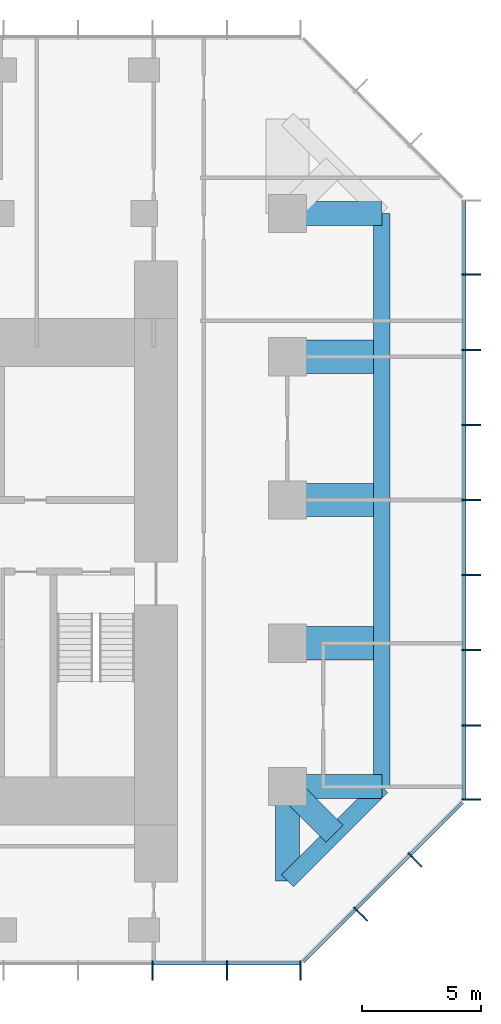
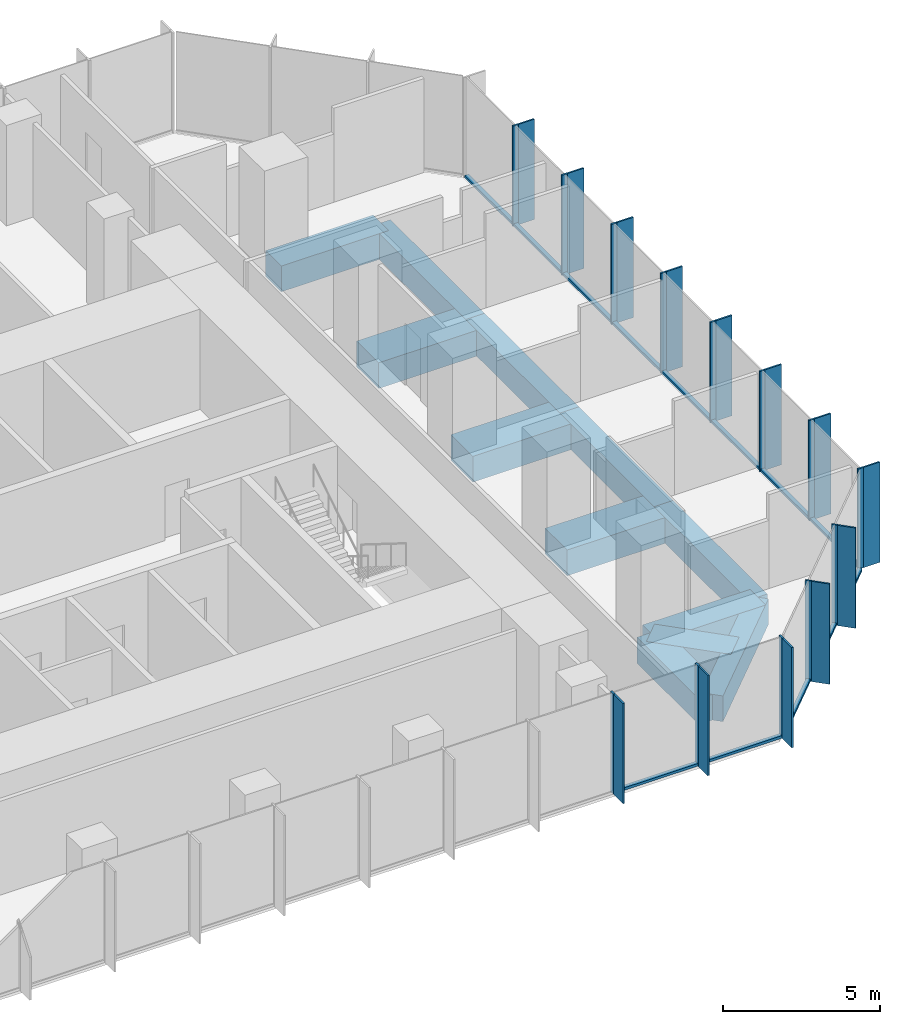
# One storey, part 4 of 10: 39 members, 12 beams, 3 elements without a shape of their own.
"""IFC4 building model written with IfcOpenShell, lengths in metres."""

import ifcopenshell
import ifcopenshell.guid

model = None  # the IFC model being written
_history = None  # IfcOwnerHistory: only IFC2X3 demands one
_inside = {}  # id of a spatial element -> (the spatial element, [elements in it])
_under = {}  # id of a project, library or spatial element -> (it, [spatial elements below it])
_declared = {}  # id of a project -> (the project, [libraries it declares])
_typed = {}  # id of a type object -> (the type object, [elements of that type])
_made_of = {}  # id of a material, layer set ... -> (it, [elements and type objects made of it])


def new_model(schema):
    """Start an empty IFC model of exactly this schema.

    Asked for "IFC4X3", IfcOpenShell would pick the latest addendum, in which some entities
    have other attributes; the version numbers below select the first issue.
    IFC2X3 requires an IfcOwnerHistory on every rooted entity: one is made here for all.
    """
    global model, _history
    if schema == "IFC4X3":
        model = ifcopenshell.file(schema_version=(4, 3, 0, 0))
    else:
        model = ifcopenshell.file(schema=schema)
    _inside.clear()
    _under.clear()
    _declared.clear()
    _typed.clear()
    _made_of.clear()
    _history = None
    if model.schema == "IFC2X3":
        org = make("IfcOrganization", Name="unknown")
        user = make(
            "IfcPersonAndOrganization",
            ThePerson=make("IfcPerson", FamilyName="unknown"),
            TheOrganization=org,
        )
        app = make(
            "IfcApplication",
            ApplicationDeveloper=org,
            Version="unknown",
            ApplicationFullName="unknown",
            ApplicationIdentifier="unknown",
        )
        _history = make(
            "IfcOwnerHistory",
            OwningUser=user,
            OwningApplication=app,
            ChangeAction="ADDED",
            CreationDate=0,
        )
    return model


def make(cls, **values):
    """One entity of the class cls with the attributes given. An attribute that is None is left unset."""
    return model.create_entity(
        cls, **{name: value for name, value in values.items() if value is not None}
    )


def rooted(cls, **values):
    """An entity with a GlobalId (a new one), such as an element, a storey or a relation."""
    return make(cls, GlobalId=ifcopenshell.guid.new(), OwnerHistory=_history, **values)


def si_unit(unit_type, name, prefix=None):
    """IfcSIUnit, for example si_unit("LENGTHUNIT", "METRE", prefix="MILLI")."""
    return make("IfcSIUnit", UnitType=unit_type, Prefix=prefix, Name=name)


def assignment(units):
    """IfcUnitAssignment: the units of a project."""
    return None if units is None else make("IfcUnitAssignment", Units=units)


def point(xyz):
    """IfcCartesianPoint."""
    return None if xyz is None else make("IfcCartesianPoint", Coordinates=xyz)


def direction(xyz):
    """IfcDirection."""
    return None if xyz is None else make("IfcDirection", DirectionRatios=xyz)


def frame(location, z_axis=None, x_axis=None):
    """IfcAxis2Placement3D, a coordinate frame: its origin and axes. An axis left out is left unset."""
    return make(
        "IfcAxis2Placement3D",
        Location=point(location),
        Axis=direction(z_axis),
        RefDirection=direction(x_axis),
    )


def frame_2d(location, x_axis=None):
    """IfcAxis2Placement2D, a coordinate frame in the plane: its origin and x axis."""
    return make(
        "IfcAxis2Placement2D", Location=point(location), RefDirection=direction(x_axis)
    )


def origin():
    """The frame at (0, 0, 0) with its axes left unset."""
    return frame((0.0, 0.0, 0.0))


def origin_2d():
    """The frame at (0, 0) in the plane with its x axis left unset."""
    return frame_2d((0.0, 0.0))


def place(relative_to, where):
    """IfcLocalPlacement: puts the frame where relative to a parent placement (None: the world)."""
    return make(
        "IfcLocalPlacement", PlacementRelTo=relative_to, RelativePlacement=where
    )


def context(
    kind, dimensions, precision=None, world=None, true_north=None, identifier=None
):
    """IfcGeometricRepresentationContext, for example the 3D "Model" context."""
    return make(
        "IfcGeometricRepresentationContext",
        ContextIdentifier=identifier,
        ContextType=kind,
        CoordinateSpaceDimension=dimensions,
        Precision=precision,
        WorldCoordinateSystem=world,
        TrueNorth=true_north,
    )


def subcontext(parent, identifier, kind, view, scale=None):
    """IfcGeometricRepresentationSubContext, for example "Body" below "Model"."""
    return make(
        "IfcGeometricRepresentationSubContext",
        ContextIdentifier=identifier,
        ContextType=kind,
        ParentContext=parent,
        TargetScale=scale,
        TargetView=view,
    )


def project(units=None, contexts=None):
    """IfcProject with its units and contexts."""
    return rooted(
        "IfcProject",
        Name="project",
        RepresentationContexts=contexts,
        UnitsInContext=assignment(units),
    )


def spatial(cls, under=None, at=None, **own):
    """A site, building, storey or space (cls), placed at a placement, below another one or the project."""
    s = rooted(cls, ObjectPlacement=at, **own)
    if under is not None:
        _under.setdefault(under.id(), (under, []))[1].append(s)
    return s


def profile(cls, at=None, kind="AREA", **sizes):
    """A parametric profile (cls). Its sizes go by their IFC names, for example OverallWidth=200.0."""
    return make(cls, ProfileType=kind, Position=at, **sizes)


def rectangle(**sizes):
    """IfcRectangleProfileDef."""
    return profile("IfcRectangleProfileDef", **sizes)


def extrude(swept, where, along, depth):
    """IfcExtrudedAreaSolid: the profile swept, set in the frame where, extruded along a direction by depth."""
    return make(
        "IfcExtrudedAreaSolid",
        SweptArea=swept,
        Position=where,
        ExtrudedDirection=direction(along),
        Depth=depth,
    )


def shape(context_of_items, identifier, shape_type, items):
    """IfcShapeRepresentation: the items that make up one representation, for example the "Body"."""
    return make(
        "IfcShapeRepresentation",
        ContextOfItems=context_of_items,
        RepresentationIdentifier=identifier,
        RepresentationType=shape_type,
        Items=items,
    )


def material(Name=None, Category=None):
    """IfcMaterial."""
    return make("IfcMaterial", Name=Name, Category=Category)


def layer(
    of_material, thickness, ventilated=None, Name=None, Category=None, Priority=None
):
    """IfcMaterialLayer: one layer of a wall or slab, of a material (None: an air gap)."""
    return make(
        "IfcMaterialLayer",
        Material=of_material,
        LayerThickness=thickness,
        IsVentilated=ventilated,
        Name=Name,
        Category=Category,
        Priority=Priority,
    )


def layer_set(layers, Name=None):
    """IfcMaterialLayerSet."""
    return make("IfcMaterialLayerSet", MaterialLayers=layers, LayerSetName=Name)


def material_profile(
    of_material, cross_section, Name=None, Category=None, Priority=None
):
    """IfcMaterialProfile: a cross section and its material."""
    return make(
        "IfcMaterialProfile",
        Name=Name,
        Material=of_material,
        Profile=cross_section,
        Priority=Priority,
        Category=Category,
    )


def profile_set(profiles, Name=None, composite=None):
    """IfcMaterialProfileSet."""
    return make(
        "IfcMaterialProfileSet",
        Name=Name,
        MaterialProfiles=profiles,
        CompositeProfile=composite,
    )


def made_of(thing, what):
    """Note that an element or type object is made of a material, layer set ...; save() writes the relation."""
    if what is not None:
        _made_of.setdefault(what.id(), (what, []))[1].append(thing)
    return thing


def type_object(cls, material=None, **own):
    """A type object (cls), such as IfcWallType, which elements share."""
    return made_of(rooted(cls, **own), material)


def element(
    cls,
    number,
    at=None,
    inside=None,
    cuts=None,
    type_object=None,
    material=None,
    context=None,
    identifier="Body",
    shape_type=None,
    held_by="IfcProductDefinitionShape",
    body=None,
    shapes=None,
    **own,
):
    """One element of the class cls, such as IfcWall. Its Tag is "e" and its number.

    at: its placement. inside: the storey or other place that contains it. cuts: it is an
    opening in that element (IfcRelVoidsElement). A single representation is given by context,
    identifier, shape_type and body (its items); several are given by shapes. held_by: the class
    of the entity that holds the representations. save() writes the other relations.
    """
    e = rooted(cls, Tag="e%d" % number, ObjectPlacement=at, **own)
    if body is not None:
        shapes = [shape(context, identifier, shape_type, body)]
    if shapes is not None:
        e.Representation = make(held_by, Representations=shapes)
    if inside is not None:
        _inside.setdefault(inside.id(), (inside, []))[1].append(e)
    if cuts is not None:
        rooted(
            "IfcRelVoidsElement", RelatingBuildingElement=cuts, RelatedOpeningElement=e
        )
    if type_object is not None:
        _typed.setdefault(type_object.id(), (type_object, []))[1].append(e)
    return made_of(e, material)


def aggregate(whole, parts):
    """IfcRelAggregates: a whole, such as a stair, and the parts it consists of."""
    return rooted("IfcRelAggregates", RelatingObject=whole, RelatedObjects=parts)


def save(model, path):
    """Write the relations noted so far, then the file.

    IfcRelAggregates (storeys below a building ...), IfcRelContainedInSpatialStructure (elements
    in a storey), IfcRelDefinesByType, IfcRelAssociatesMaterial and IfcRelDeclares: one each for
    every whole, place, type object, material and project.
    """
    for whole, parts in _under.values():
        aggregate(whole, parts)
    for where, things in _inside.values():
        rooted(
            "IfcRelContainedInSpatialStructure",
            RelatedElements=things,
            RelatingStructure=where,
        )
    for kind, things in _typed.values():
        rooted("IfcRelDefinesByType", RelatedObjects=things, RelatingType=kind)
    for what, things in _made_of.values():
        rooted("IfcRelAssociatesMaterial", RelatedObjects=things, RelatingMaterial=what)
    for by, libraries in _declared.values():
        rooted("IfcRelDeclares", RelatingContext=by, RelatedDefinitions=libraries)
    model.write(path)


model = new_model("IFC4")

# Units and contexts
model_context = context("Model", 3, precision=1e-05, world=origin(), true_north=direction((0.0, 1.0)))
body_context = subcontext(model_context, "Body", "Model", "MODEL_VIEW")
ifc_project = project(units=[si_unit("LENGTHUNIT", "METRE"), si_unit("AREAUNIT", "SQUARE_METRE"), si_unit("VOLUMEUNIT", "CUBIC_METRE"), si_unit("PLANEANGLEUNIT", "RADIAN"), si_unit("MASSUNIT", "GRAM", prefix="KILO")], contexts=[model_context])

# Site, building, storey
site_placement = place(None, origin())
site = spatial("IfcSite", under=ifc_project, at=site_placement, CompositionType="ELEMENT")
building_placement = place(site_placement, origin())
building = spatial("IfcBuilding", under=site, at=building_placement, Name="Highveld Stack Headquarters", CompositionType="ELEMENT")
storey_placement = place(building_placement, frame((0.0, 0.0, 252.800048828125)))
storey = spatial("IfcBuildingStorey", under=building, at=storey_placement, Name="L62", CompositionType="ELEMENT", Elevation=252.800048828125)

# Beams
ifc_material_1 = material(Name="Concrete C60/75", Category="concrete")
ifc_material_profile_1 = material_profile(ifc_material_1, rectangle(XDim=1.0, YDim=1.0, at=origin_2d()), Name="RC 1000x1000")
ifc_profile_set_1 = profile_set([ifc_material_profile_1], Name="Concrete C60/75")
beam_type_1 = type_object("IfcBeamType", Name="CANTILEVER RIB RC 1000x1000", PredefinedType="USERDEFINED", material=ifc_profile_set_1)
for number, where, z_axis, x_axis, name in (
    (1, (24.0, -6.0, -0.75), (1.0, 0.0, 0.0), (0.0, 1.0, 0.0), "Cantilever rib 10/D L62"),
    (2, (24.0, -6.0, -0.75), (0.0, -1.0, 0.0), (1.0, 0.0, 0.0), "Cantilever rib 10/D L62"),
):
    element("IfcBeam", number, at=place(storey_placement, frame(where, z_axis=z_axis, x_axis=x_axis)), inside=storey, type_object=beam_type_1, Name=name, ObjectType="CANTILEVER RIB", PredefinedType="USERDEFINED", context=body_context, shape_type="SweptSolid", body=[
        extrude(rectangle(XDim=1.0, YDim=1.0, at=origin_2d()), origin(), (0.0, 0.0, 1.0), 3.949951171875),
    ])
beam_1_placement = place(storey_placement, frame((24.0, -6.0, -0.75), z_axis=(0.707106781187, -0.707106781187, 0.0), x_axis=(0.707106781187, 0.707106781187, 0.0)))
element("IfcBeam", 3, at=beam_1_placement, inside=storey, type_object=beam_type_1, Name="Cantilever rib 10/D L62", ObjectType="CANTILEVER RIB", PredefinedType="USERDEFINED", context=body_context, shape_type="SweptSolid", body=[
    extrude(rectangle(XDim=1.0, YDim=1.0, at=origin_2d()), origin(), (0.0, 0.0, 1.0), 2.793212890625),
])
beam_2_placement = place(storey_placement, frame((24.0, 18.0, -0.75), z_axis=(1.0, 0.0, 0.0), x_axis=(0.0, 1.0, 0.0)))
element("IfcBeam", 4, at=beam_2_placement, inside=storey, type_object=beam_type_1, Name="Cantilever rib 10/H L62", ObjectType="CANTILEVER RIB", PredefinedType="USERDEFINED", context=body_context, shape_type="SweptSolid", body=[
    extrude(rectangle(XDim=1.0, YDim=1.0, at=origin_2d()), origin(), (0.0, 0.0, 1.0), 3.949951171875),
])
ifc_material_2 = material(Name="Concrete C60/75", Category="concrete")
ifc_material_profile_2 = material_profile(ifc_material_2, rectangle(XDim=1.39990234375, YDim=1.0, at=origin_2d()), Name="RC 1400x1000")
ifc_profile_set_2 = profile_set([ifc_material_profile_2], Name="Concrete C60/75")
beam_type_2 = type_object("IfcBeamType", Name="CANTILEVER RIB RC 1400x1000", PredefinedType="USERDEFINED", material=ifc_profile_set_2)
for number, where, z_axis, x_axis, name in (
    (5, (24.0, 0.0, -0.75), (1.0, 0.0, 0.0), (0.0, 1.0, 0.0), "Cantilever rib 10/E L62"),
    (6, (24.0, 6.0, -0.75), (1.0, 0.0, 0.0), (0.0, 1.0, 0.0), "Cantilever rib 10/F L62"),
    (7, (24.0, 12.0, -0.75), (1.0, 0.0, 0.0), (0.0, 1.0, 0.0), "Cantilever rib 10/G L62"),
):
    element("IfcBeam", number, at=place(storey_placement, frame(where, z_axis=z_axis, x_axis=x_axis)), inside=storey, type_object=beam_type_2, Name=name, ObjectType="CANTILEVER RIB", PredefinedType="USERDEFINED", context=body_context, shape_type="SweptSolid", body=[
        extrude(rectangle(XDim=1.39990234375, YDim=1.0, at=origin_2d()), origin(), (0.0, 0.0, 1.0), 3.949951171875),
    ])

# Curtain wall, members
ifc_material_3 = material(Name="Aluminium bronze anodised", Category="aluminium")
ifc_layer = layer(ifc_material_3, 0.199951171875)
ifc_layer_set = layer_set([ifc_layer], Name="Aluminium bronze anodised")
curtain_wall_type = type_object("IfcCurtainWallType", Name="CW5 EXECUTIVE UNITISED CURTAIN WALL", PredefinedType="NOTDEFINED", material=ifc_layer_set)
curtain_wall_1_placement = place(storey_placement, origin())
curtain_wall_1 = element("IfcCurtainWall", 8, at=curtain_wall_1_placement, inside=storey, type_object=curtain_wall_type, Name="Curtain wall CW5 L62 S", PredefinedType="NOTDEFINED")
ifc_material_4 = material(Name="Aluminium bronze anodised", Category="aluminium")
ifc_material_profile_3 = material_profile(ifc_material_4, rectangle(XDim=0.60009765625, YDim=0.06005859375, at=origin_2d()), Name="FIN 600x60")
ifc_profile_set_3 = profile_set([ifc_material_profile_3], Name="Aluminium bronze anodised")
member_type_1 = type_object("IfcMemberType", Name="CW5 BRONZE FIN 600x60", PredefinedType="USERDEFINED", material=ifc_profile_set_3)
member_1_placement = place(storey_placement, frame((18.347900390625, -13.800048828125, 0.0), z_axis=(0.0, 0.0, 1.0), x_axis=(0.0, 1.0, 0.0)))
member_1 = element("IfcMember", 9, at=member_1_placement, type_object=member_type_1, Name="CW5 fin L62 9", ObjectType="FIN", PredefinedType="USERDEFINED", context=body_context, shape_type="SweptSolid", body=[
    extrude(rectangle(XDim=0.60009765625, YDim=0.06005859375, at=origin_2d()), origin(), (0.0, 0.0, 1.0), 3.89990234375),
])
member_2_placement = place(storey_placement, frame((21.4638671875, -13.800048828125, 0.0), z_axis=(0.0, 0.0, 1.0), x_axis=(0.0, 1.0, 0.0)))
member_2 = element("IfcMember", 10, at=member_2_placement, type_object=member_type_1, Name="CW5 fin L62 10", ObjectType="FIN", PredefinedType="USERDEFINED", context=body_context, shape_type="SweptSolid", body=[
    extrude(rectangle(XDim=0.60009765625, YDim=0.06005859375, at=origin_2d()), origin(), (0.0, 0.0, 1.0), 3.89990234375),
])
member_3_placement = place(storey_placement, frame((24.54736328125, -13.800048828125, 0.0), z_axis=(0.0, 0.0, 1.0), x_axis=(0.0, 1.0, 0.0)))
member_3 = element("IfcMember", 11, at=member_3_placement, type_object=member_type_1, Name="CW5 fin L62 11", ObjectType="FIN", PredefinedType="USERDEFINED", context=body_context, shape_type="SweptSolid", body=[
    extrude(rectangle(XDim=0.60009765625, YDim=0.06005859375, at=origin_2d()), origin(), (0.0, 0.0, 1.0), 3.89990234375),
])

curtain_wall_2_placement = place(storey_placement, origin())
curtain_wall_2 = element("IfcCurtainWall", 12, at=curtain_wall_2_placement, inside=storey, type_object=curtain_wall_type, Name="Curtain wall CW5 L62 SE", PredefinedType="NOTDEFINED")
member_4_placement = place(storey_placement, frame((27.135986328125, -11.409423828125, 0.0), z_axis=(0.0, 0.0, 1.0), x_axis=(-0.707106781187, 0.707106781187, 0.0)))
member_4 = element("IfcMember", 13, at=member_4_placement, type_object=member_type_1, Name="CW5 fin L62 1", ObjectType="FIN", PredefinedType="USERDEFINED", context=body_context, shape_type="SweptSolid", body=[
    extrude(rectangle(XDim=0.60009765625, YDim=0.06005859375, at=origin_2d()), origin(), (0.0, 0.0, 1.0), 3.89990234375),
])
member_5_placement = place(storey_placement, frame((29.409423828125, -9.135986328125, 0.0), z_axis=(0.0, 0.0, 1.0), x_axis=(-0.707106781187, 0.707106781187, 0.0)))
member_5 = element("IfcMember", 14, at=member_5_placement, type_object=member_type_1, Name="CW5 fin L62 2", ObjectType="FIN", PredefinedType="USERDEFINED", context=body_context, shape_type="SweptSolid", body=[
    extrude(rectangle(XDim=0.60009765625, YDim=0.06005859375, at=origin_2d()), origin(), (0.0, 0.0, 1.0), 3.89990234375),
])

curtain_wall_3_placement = place(storey_placement, origin())
curtain_wall_3 = element("IfcCurtainWall", 15, at=curtain_wall_3_placement, inside=storey, type_object=curtain_wall_type, Name="Curtain wall CW5 L62 E", PredefinedType="NOTDEFINED")
member_6_placement = place(storey_placement, frame((31.800048828125, -6.54736328125, 0.0), z_axis=(0.0, 0.0, 1.0), x_axis=(-1.0, 0.0, 0.0)))
member_6 = element("IfcMember", 16, at=member_6_placement, type_object=member_type_1, Name="CW5 fin L62 1", ObjectType="FIN", PredefinedType="USERDEFINED", context=body_context, shape_type="SweptSolid", body=[
    extrude(rectangle(XDim=0.60009765625, YDim=0.06005859375, at=origin_2d()), origin(), (0.0, 0.0, 1.0), 3.89990234375),
])
member_7_placement = place(storey_placement, frame((31.800048828125, -3.434814453125, 0.0), z_axis=(0.0, 0.0, 1.0), x_axis=(-1.0, 0.0, 0.0)))
member_7 = element("IfcMember", 17, at=member_7_placement, type_object=member_type_1, Name="CW5 fin L62 2", ObjectType="FIN", PredefinedType="USERDEFINED", context=body_context, shape_type="SweptSolid", body=[
    extrude(rectangle(XDim=0.60009765625, YDim=0.06005859375, at=origin_2d()), origin(), (0.0, 0.0, 1.0), 3.89990234375),
])
member_8_placement = place(storey_placement, frame((31.800048828125, -0.2900390625, 0.0), z_axis=(0.0, 0.0, 1.0), x_axis=(-1.0, 0.0, 0.0)))
member_8 = element("IfcMember", 18, at=member_8_placement, type_object=member_type_1, Name="CW5 fin L62 3", ObjectType="FIN", PredefinedType="USERDEFINED", context=body_context, shape_type="SweptSolid", body=[
    extrude(rectangle(XDim=0.60009765625, YDim=0.06005859375, at=origin_2d()), origin(), (0.0, 0.0, 1.0), 3.89990234375),
])
member_9_placement = place(storey_placement, frame((31.800048828125, 2.85498046875, 0.0), z_axis=(0.0, 0.0, 1.0), x_axis=(-1.0, 0.0, 0.0)))
member_9 = element("IfcMember", 19, at=member_9_placement, type_object=member_type_1, Name="CW5 fin L62 4", ObjectType="FIN", PredefinedType="USERDEFINED", context=body_context, shape_type="SweptSolid", body=[
    extrude(rectangle(XDim=0.60009765625, YDim=0.06005859375, at=origin_2d()), origin(), (0.0, 0.0, 1.0), 3.89990234375),
])
member_10_placement = place(storey_placement, frame((31.800048828125, 6.0, 0.0), z_axis=(0.0, 0.0, 1.0), x_axis=(-1.0, 0.0, 0.0)))
member_10 = element("IfcMember", 20, at=member_10_placement, type_object=member_type_1, Name="CW5 fin L62 5", ObjectType="FIN", PredefinedType="USERDEFINED", context=body_context, shape_type="SweptSolid", body=[
    extrude(rectangle(XDim=0.60009765625, YDim=0.06005859375, at=origin_2d()), origin(), (0.0, 0.0, 1.0), 3.89990234375),
])
member_11_placement = place(storey_placement, frame((31.800048828125, 9.14501953125, 0.0), z_axis=(0.0, 0.0, 1.0), x_axis=(-1.0, 0.0, 0.0)))
member_11 = element("IfcMember", 21, at=member_11_placement, type_object=member_type_1, Name="CW5 fin L62 6", ObjectType="FIN", PredefinedType="USERDEFINED", context=body_context, shape_type="SweptSolid", body=[
    extrude(rectangle(XDim=0.60009765625, YDim=0.06005859375, at=origin_2d()), origin(), (0.0, 0.0, 1.0), 3.89990234375),
])
member_12_placement = place(storey_placement, frame((31.800048828125, 12.289794921875, 0.0), z_axis=(0.0, 0.0, 1.0), x_axis=(-1.0, 0.0, 0.0)))
member_12 = element("IfcMember", 22, at=member_12_placement, type_object=member_type_1, Name="CW5 fin L62 7", ObjectType="FIN", PredefinedType="USERDEFINED", context=body_context, shape_type="SweptSolid", body=[
    extrude(rectangle(XDim=0.60009765625, YDim=0.06005859375, at=origin_2d()), origin(), (0.0, 0.0, 1.0), 3.89990234375),
])
member_13_placement = place(storey_placement, frame((31.800048828125, 15.434814453125, 0.0), z_axis=(0.0, 0.0, 1.0), x_axis=(-1.0, 0.0, 0.0)))
member_13 = element("IfcMember", 23, at=member_13_placement, type_object=member_type_1, Name="CW5 fin L62 8", ObjectType="FIN", PredefinedType="USERDEFINED", context=body_context, shape_type="SweptSolid", body=[
    extrude(rectangle(XDim=0.60009765625, YDim=0.06005859375, at=origin_2d()), origin(), (0.0, 0.0, 1.0), 3.89990234375),
])

# Member
ifc_material_5 = material(Name="Aluminium bronze anodised", Category="aluminium")
ifc_material_profile_4 = material_profile(ifc_material_5, rectangle(XDim=0.199951171875, YDim=0.06494140625, at=origin_2d()), Name="CW5 MULLION 65x200")
ifc_profile_set_4 = profile_set([ifc_material_profile_4], Name="Aluminium bronze anodised")
member_type_2 = type_object("IfcMemberType", Name="CW5 MULLION 65x200", PredefinedType="MULLION", material=ifc_profile_set_4)
member_14_placement = place(storey_placement, frame((18.347900390625, -13.39990234375, 0.0), z_axis=(0.0, 0.0, 1.0), x_axis=(0.0, 1.0, 0.0)))
member_14 = element("IfcMember", 24, at=member_14_placement, type_object=member_type_2, Name="CW5 mullion L62 9", PredefinedType="MULLION", context=body_context, shape_type="SweptSolid", body=[
    extrude(rectangle(XDim=0.199951171875, YDim=0.06494140625, at=origin_2d()), origin(), (0.0, 0.0, 1.0), 3.89990234375),
])

member_15_placement = place(storey_placement, frame((21.4638671875, -13.39990234375, 0.0), z_axis=(0.0, 0.0, 1.0), x_axis=(0.0, 1.0, 0.0)))
member_15 = element("IfcMember", 25, at=member_15_placement, type_object=member_type_2, Name="CW5 mullion L62 10", PredefinedType="MULLION", context=body_context, shape_type="SweptSolid", body=[
    extrude(rectangle(XDim=0.199951171875, YDim=0.06494140625, at=origin_2d()), origin(), (0.0, 0.0, 1.0), 3.89990234375),
])

member_16_placement = place(storey_placement, frame((24.54736328125, -13.39990234375, 0.0), z_axis=(0.0, 0.0, 1.0), x_axis=(0.0, 1.0, 0.0)))
member_16 = element("IfcMember", 26, at=member_16_placement, type_object=member_type_2, Name="CW5 mullion L62 11", PredefinedType="MULLION", context=body_context, shape_type="SweptSolid", body=[
    extrude(rectangle(XDim=0.199951171875, YDim=0.06494140625, at=origin_2d()), origin(), (0.0, 0.0, 1.0), 3.89990234375),
])

member_17_placement = place(storey_placement, frame((26.853271484375, -11.126708984375, 0.0), z_axis=(0.0, 0.0, 1.0), x_axis=(-0.707106781187, 0.707106781187, 0.0)))
member_17 = element("IfcMember", 27, at=member_17_placement, type_object=member_type_2, Name="CW5 mullion L62 1", PredefinedType="MULLION", context=body_context, shape_type="SweptSolid", body=[
    extrude(rectangle(XDim=0.199951171875, YDim=0.06494140625, at=origin_2d()), origin(), (0.0, 0.0, 1.0), 3.89990234375),
])

member_18_placement = place(storey_placement, frame((29.126708984375, -8.853271484375, 0.0), z_axis=(0.0, 0.0, 1.0), x_axis=(-0.707106781187, 0.707106781187, 0.0)))
member_18 = element("IfcMember", 28, at=member_18_placement, type_object=member_type_2, Name="CW5 mullion L62 2", PredefinedType="MULLION", context=body_context, shape_type="SweptSolid", body=[
    extrude(rectangle(XDim=0.199951171875, YDim=0.06494140625, at=origin_2d()), origin(), (0.0, 0.0, 1.0), 3.89990234375),
])

member_19_placement = place(storey_placement, frame((31.39990234375, -6.54736328125, 0.0), z_axis=(0.0, 0.0, 1.0), x_axis=(-1.0, 0.0, 0.0)))
member_19 = element("IfcMember", 29, at=member_19_placement, type_object=member_type_2, Name="CW5 mullion L62 1", PredefinedType="MULLION", context=body_context, shape_type="SweptSolid", body=[
    extrude(rectangle(XDim=0.199951171875, YDim=0.06494140625, at=origin_2d()), origin(), (0.0, 0.0, 1.0), 3.89990234375),
])

member_20_placement = place(storey_placement, frame((31.39990234375, -3.434814453125, 0.0), z_axis=(0.0, 0.0, 1.0), x_axis=(-1.0, 0.0, 0.0)))
member_20 = element("IfcMember", 30, at=member_20_placement, type_object=member_type_2, Name="CW5 mullion L62 2", PredefinedType="MULLION", context=body_context, shape_type="SweptSolid", body=[
    extrude(rectangle(XDim=0.199951171875, YDim=0.06494140625, at=origin_2d()), origin(), (0.0, 0.0, 1.0), 3.89990234375),
])

member_21_placement = place(storey_placement, frame((31.39990234375, -0.2900390625, 0.0), z_axis=(0.0, 0.0, 1.0), x_axis=(-1.0, 0.0, 0.0)))
member_21 = element("IfcMember", 31, at=member_21_placement, type_object=member_type_2, Name="CW5 mullion L62 3", PredefinedType="MULLION", context=body_context, shape_type="SweptSolid", body=[
    extrude(rectangle(XDim=0.199951171875, YDim=0.06494140625, at=origin_2d()), origin(), (0.0, 0.0, 1.0), 3.89990234375),
])

member_22_placement = place(storey_placement, frame((31.39990234375, 2.85498046875, 0.0), z_axis=(0.0, 0.0, 1.0), x_axis=(-1.0, 0.0, 0.0)))
member_22 = element("IfcMember", 32, at=member_22_placement, type_object=member_type_2, Name="CW5 mullion L62 4", PredefinedType="MULLION", context=body_context, shape_type="SweptSolid", body=[
    extrude(rectangle(XDim=0.199951171875, YDim=0.06494140625, at=origin_2d()), origin(), (0.0, 0.0, 1.0), 3.89990234375),
])

member_23_placement = place(storey_placement, frame((31.39990234375, 6.0, 0.0), z_axis=(0.0, 0.0, 1.0), x_axis=(-1.0, 0.0, 0.0)))
member_23 = element("IfcMember", 33, at=member_23_placement, type_object=member_type_2, Name="CW5 mullion L62 5", PredefinedType="MULLION", context=body_context, shape_type="SweptSolid", body=[
    extrude(rectangle(XDim=0.199951171875, YDim=0.06494140625, at=origin_2d()), origin(), (0.0, 0.0, 1.0), 3.89990234375),
])

member_24_placement = place(storey_placement, frame((31.39990234375, 9.14501953125, 0.0), z_axis=(0.0, 0.0, 1.0), x_axis=(-1.0, 0.0, 0.0)))
member_24 = element("IfcMember", 34, at=member_24_placement, type_object=member_type_2, Name="CW5 mullion L62 6", PredefinedType="MULLION", context=body_context, shape_type="SweptSolid", body=[
    extrude(rectangle(XDim=0.199951171875, YDim=0.06494140625, at=origin_2d()), origin(), (0.0, 0.0, 1.0), 3.89990234375),
])

member_25_placement = place(storey_placement, frame((31.39990234375, 12.289794921875, 0.0), z_axis=(0.0, 0.0, 1.0), x_axis=(-1.0, 0.0, 0.0)))
member_25 = element("IfcMember", 35, at=member_25_placement, type_object=member_type_2, Name="CW5 mullion L62 7", PredefinedType="MULLION", context=body_context, shape_type="SweptSolid", body=[
    extrude(rectangle(XDim=0.199951171875, YDim=0.06494140625, at=origin_2d()), origin(), (0.0, 0.0, 1.0), 3.89990234375),
])

member_26_placement = place(storey_placement, frame((31.39990234375, 15.434814453125, 0.0), z_axis=(0.0, 0.0, 1.0), x_axis=(-1.0, 0.0, 0.0)))
member_26 = element("IfcMember", 36, at=member_26_placement, type_object=member_type_2, Name="CW5 mullion L62 8", PredefinedType="MULLION", context=body_context, shape_type="SweptSolid", body=[
    extrude(rectangle(XDim=0.199951171875, YDim=0.06494140625, at=origin_2d()), origin(), (0.0, 0.0, 1.0), 3.89990234375),
])

ifc_material_6 = material(Name="Aluminium bronze anodised", Category="aluminium")
ifc_material_profile_5 = material_profile(ifc_material_6, rectangle(XDim=0.14990234375, YDim=0.10009765625, at=origin_2d()), Name="CW5 TRANSOM 150x100")
ifc_profile_set_5 = profile_set([ifc_material_profile_5], Name="Aluminium bronze anodised")
member_type_3 = type_object("IfcMemberType", Name="CW5 STACK TRANSOM 150x100", PredefinedType="USERDEFINED", material=ifc_profile_set_5)
member_27_placement = place(storey_placement, frame((18.38037109375, -13.39990234375, 0.050048828125), z_axis=(1.0, 0.0, 0.0), x_axis=(0.0, 1.0, 0.0)))
member_27 = element("IfcMember", 37, at=member_27_placement, type_object=member_type_3, Name="CW5 transom L62 9.1", ObjectType="TRANSOM", PredefinedType="USERDEFINED", context=body_context, shape_type="SweptSolid", body=[
    extrude(rectangle(XDim=0.14990234375, YDim=0.10009765625, at=origin_2d()), origin(), (0.0, 0.0, 1.0), 3.051025390625),
])

member_28_placement = place(storey_placement, frame((21.496337890625, -13.39990234375, 0.050048828125), z_axis=(1.0, 0.0, 0.0), x_axis=(0.0, 1.0, 0.0)))
member_28 = element("IfcMember", 38, at=member_28_placement, type_object=member_type_3, Name="CW5 transom L62 10.1", ObjectType="TRANSOM", PredefinedType="USERDEFINED", context=body_context, shape_type="SweptSolid", body=[
    extrude(rectangle(XDim=0.14990234375, YDim=0.10009765625, at=origin_2d()), origin(), (0.0, 0.0, 1.0), 3.0185546875),
])

aggregate(curtain_wall_1, [member_14, member_1, member_15, member_2, member_16, member_3, member_27, member_28])

member_29_placement = place(storey_placement, frame((24.650634765625, -13.329345703125, 0.050048828125), z_axis=(0.707106781187, 0.707106781187, 0.0), x_axis=(-0.707106781187, 0.707106781187, 0.0)))
member_29 = element("IfcMember", 39, at=member_29_placement, type_object=member_type_3, Name="CW5 transom L62 1.1", ObjectType="TRANSOM", PredefinedType="USERDEFINED", context=body_context, shape_type="SweptSolid", body=[
    extrude(rectangle(XDim=0.14990234375, YDim=0.10009765625, at=origin_2d()), origin(), (0.0, 0.0, 1.0), 3.08251953125),
])

member_30_placement = place(storey_placement, frame((26.876220703125, -11.103759765625, 0.050048828125), z_axis=(0.707106781187, 0.707106781187, 0.0), x_axis=(-0.707106781187, 0.707106781187, 0.0)))
member_30 = element("IfcMember", 40, at=member_30_placement, type_object=member_type_3, Name="CW5 transom L62 2.1", ObjectType="TRANSOM", PredefinedType="USERDEFINED", context=body_context, shape_type="SweptSolid", body=[
    extrude(rectangle(XDim=0.14990234375, YDim=0.10009765625, at=origin_2d()), origin(), (0.0, 0.0, 1.0), 3.150146484375),
])

member_31_placement = place(storey_placement, frame((29.149658203125, -8.830322265625, 0.050048828125), z_axis=(0.707106781187, 0.707106781187, 0.0), x_axis=(-0.707106781187, 0.707106781187, 0.0)))
member_31 = element("IfcMember", 41, at=member_31_placement, type_object=member_type_3, Name="CW5 transom L62 3.1", ObjectType="TRANSOM", PredefinedType="USERDEFINED", context=body_context, shape_type="SweptSolid", body=[
    extrude(rectangle(XDim=0.14990234375, YDim=0.10009765625, at=origin_2d()), origin(), (0.0, 0.0, 1.0), 3.08251953125),
])

aggregate(curtain_wall_2, [member_17, member_4, member_18, member_5, member_29, member_30, member_31])

member_32_placement = place(storey_placement, frame((31.39990234375, -6.514892578125, 0.050048828125), z_axis=(0.0, 1.0, 0.0), x_axis=(-1.0, 0.0, 0.0)))
member_32 = element("IfcMember", 42, at=member_32_placement, type_object=member_type_3, Name="CW5 transom L62 1.1", ObjectType="TRANSOM", PredefinedType="USERDEFINED", context=body_context, shape_type="SweptSolid", body=[
    extrude(rectangle(XDim=0.14990234375, YDim=0.10009765625, at=origin_2d()), origin(), (0.0, 0.0, 1.0), 3.047607421875),
])

member_33_placement = place(storey_placement, frame((31.39990234375, -3.40234375, 0.050048828125), z_axis=(0.0, 1.0, 0.0), x_axis=(-1.0, 0.0, 0.0)))
member_33 = element("IfcMember", 43, at=member_33_placement, type_object=member_type_3, Name="CW5 transom L62 2.1", ObjectType="TRANSOM", PredefinedType="USERDEFINED", context=body_context, shape_type="SweptSolid", body=[
    extrude(rectangle(XDim=0.14990234375, YDim=0.10009765625, at=origin_2d()), origin(), (0.0, 0.0, 1.0), 3.079833984375),
])

member_34_placement = place(storey_placement, frame((31.39990234375, -0.257568359375, 0.050048828125), z_axis=(0.0, 1.0, 0.0), x_axis=(-1.0, 0.0, 0.0)))
member_34 = element("IfcMember", 44, at=member_34_placement, type_object=member_type_3, Name="CW5 transom L62 3.1", ObjectType="TRANSOM", PredefinedType="USERDEFINED", context=body_context, shape_type="SweptSolid", body=[
    extrude(rectangle(XDim=0.14990234375, YDim=0.10009765625, at=origin_2d()), origin(), (0.0, 0.0, 1.0), 3.080078125),
])

member_35_placement = place(storey_placement, frame((31.39990234375, 2.887451171875, 0.050048828125), z_axis=(0.0, 1.0, 0.0), x_axis=(-1.0, 0.0, 0.0)))
member_35 = element("IfcMember", 45, at=member_35_placement, type_object=member_type_3, Name="CW5 transom L62 4.1", ObjectType="TRANSOM", PredefinedType="USERDEFINED", context=body_context, shape_type="SweptSolid", body=[
    extrude(rectangle(XDim=0.14990234375, YDim=0.10009765625, at=origin_2d()), origin(), (0.0, 0.0, 1.0), 3.080078125),
])

member_36_placement = place(storey_placement, frame((31.39990234375, 6.032470703125, 0.050048828125), z_axis=(0.0, 1.0, 0.0), x_axis=(-1.0, 0.0, 0.0)))
member_36 = element("IfcMember", 46, at=member_36_placement, type_object=member_type_3, Name="CW5 transom L62 5.1", ObjectType="TRANSOM", PredefinedType="USERDEFINED", context=body_context, shape_type="SweptSolid", body=[
    extrude(rectangle(XDim=0.14990234375, YDim=0.10009765625, at=origin_2d()), origin(), (0.0, 0.0, 1.0), 3.080078125),
])

member_37_placement = place(storey_placement, frame((31.39990234375, 9.177490234375, 0.050048828125), z_axis=(0.0, 1.0, 0.0), x_axis=(-1.0, 0.0, 0.0)))
member_37 = element("IfcMember", 47, at=member_37_placement, type_object=member_type_3, Name="CW5 transom L62 6.1", ObjectType="TRANSOM", PredefinedType="USERDEFINED", context=body_context, shape_type="SweptSolid", body=[
    extrude(rectangle(XDim=0.14990234375, YDim=0.10009765625, at=origin_2d()), origin(), (0.0, 0.0, 1.0), 3.080078125),
])

member_38_placement = place(storey_placement, frame((31.39990234375, 12.322509765625, 0.050048828125), z_axis=(0.0, 1.0, 0.0), x_axis=(-1.0, 0.0, 0.0)))
member_38 = element("IfcMember", 48, at=member_38_placement, type_object=member_type_3, Name="CW5 transom L62 7.1", ObjectType="TRANSOM", PredefinedType="USERDEFINED", context=body_context, shape_type="SweptSolid", body=[
    extrude(rectangle(XDim=0.14990234375, YDim=0.10009765625, at=origin_2d()), origin(), (0.0, 0.0, 1.0), 3.079833984375),
])

member_39_placement = place(storey_placement, frame((31.39990234375, 15.46728515625, 0.050048828125), z_axis=(0.0, 1.0, 0.0), x_axis=(-1.0, 0.0, 0.0)))
member_39 = element("IfcMember", 49, at=member_39_placement, type_object=member_type_3, Name="CW5 transom L62 8.1", ObjectType="TRANSOM", PredefinedType="USERDEFINED", context=body_context, shape_type="SweptSolid", body=[
    extrude(rectangle(XDim=0.14990234375, YDim=0.10009765625, at=origin_2d()), origin(), (0.0, 0.0, 1.0), 3.047607421875),
])

aggregate(curtain_wall_3, [member_19, member_6, member_20, member_7, member_21, member_8, member_22, member_9, member_23, member_10, member_24, member_11, member_25, member_12, member_26, member_13, member_32, member_33, member_34, member_35, member_36, member_37, member_38, member_39])

# Beams
ifc_material_7 = material(Name="Concrete C60/75", Category="concrete")
ifc_material_profile_6 = material_profile(ifc_material_7, rectangle(XDim=0.699951171875, YDim=1.0, at=origin_2d()), Name="RC 700x1000")
ifc_profile_set_6 = profile_set([ifc_material_profile_6], Name="Concrete C60/75")
beam_type_3 = type_object("IfcBeamType", Name="RIB TIP BEAM RC 700x1000", PredefinedType="SPANDREL", material=ifc_profile_set_6)
for number, where, z_axis, x_axis, name in (
    (50, (27.949951171875, -6.0, -0.75), (0.0, 1.0, 0.0), (-1.0, 0.0, 0.0), "Rib tip beam 10/D to 10/E L62"),
    (51, (27.949951171875, 0.0, -0.75), (0.0, 1.0, 0.0), (-1.0, 0.0, 0.0), "Rib tip beam 10/E to 10/F L62"),
    (52, (27.949951171875, 6.0, -0.75), (0.0, 1.0, 0.0), (-1.0, 0.0, 0.0), "Rib tip beam 10/F to 10/G L62"),
    (53, (27.949951171875, 12.0, -0.75), (0.0, 1.0, 0.0), (-1.0, 0.0, 0.0), "Rib tip beam 10/G to 10/H L62"),
):
    element("IfcBeam", number, at=place(storey_placement, frame(where, z_axis=z_axis, x_axis=x_axis)), inside=storey, type_object=beam_type_3, Name=name, PredefinedType="SPANDREL", context=body_context, shape_type="SweptSolid", body=[
        extrude(rectangle(XDim=0.699951171875, YDim=1.0, at=origin_2d()), origin(), (0.0, 0.0, 1.0), 6.0),
    ])
beam_3_placement = place(storey_placement, frame((27.949951171875, -6.0, -0.75), z_axis=(-0.707106781187, -0.707106781187, 0.0), x_axis=(0.707106781187, -0.707106781187, 0.0)))
element("IfcBeam", 54, at=beam_3_placement, inside=storey, type_object=beam_type_3, Name="Rib tip beam 10/D corner L62", PredefinedType="SPANDREL", context=body_context, shape_type="SweptSolid", body=[
    extrude(rectangle(XDim=0.699951171875, YDim=1.0, at=origin_2d()), origin(), (0.0, 0.0, 1.0), 5.586181640625),
])

save(model, "model.ifc")
